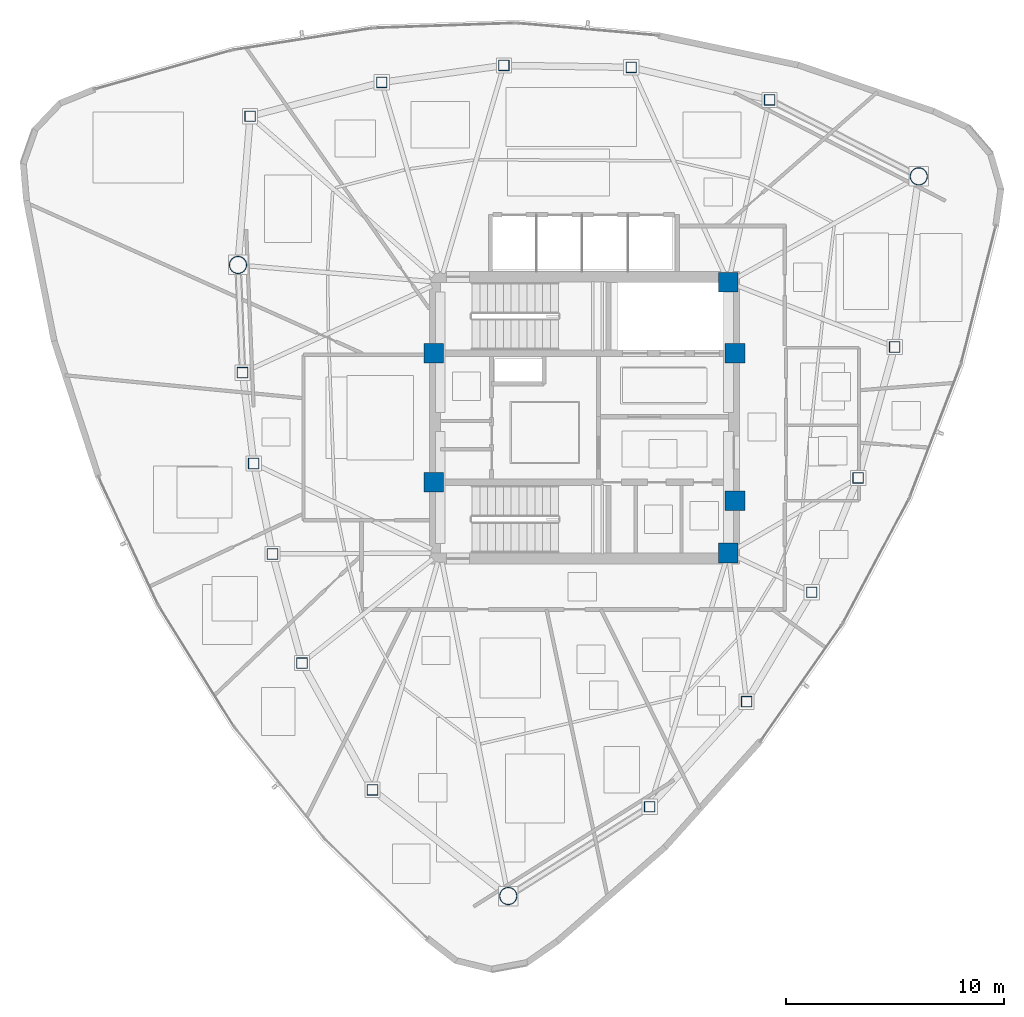
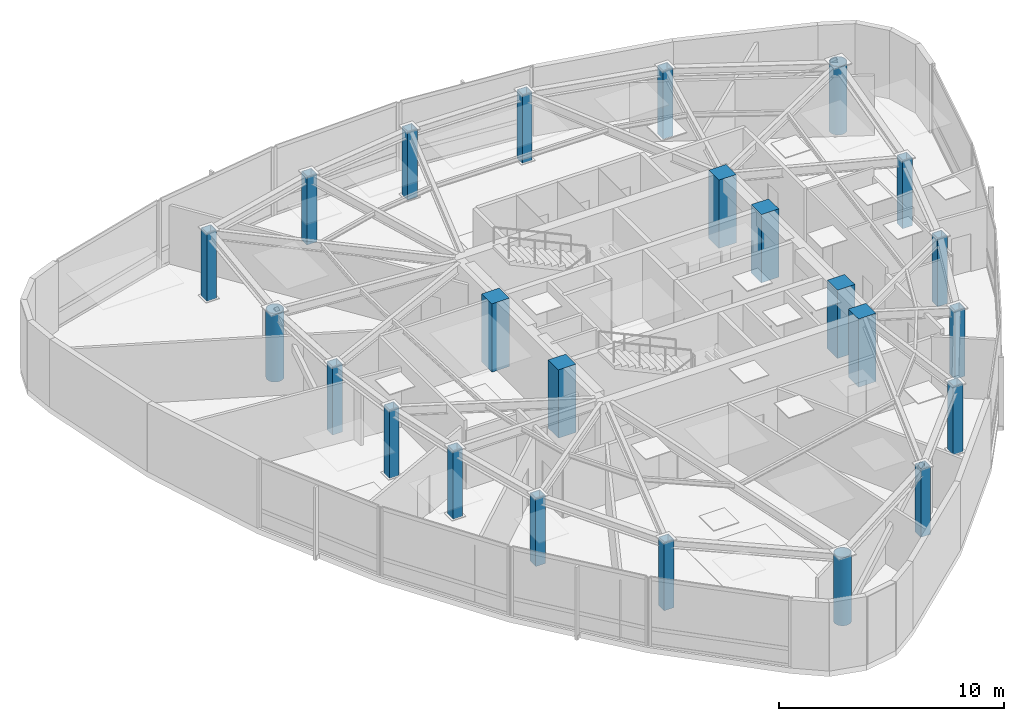
# One storey, part 1 of 12: 24 columns.
"""IFC4 building model written with IfcOpenShell, lengths in metres."""

from ifc_helpers import new_model, si_unit, direction, frame, origin, origin_2d, place, context, subcontext, project, spatial, rectangle, hollow_rectangle, hollow_circle, extrude, material, material_profile, profile_set, type_object, element, save


model = new_model("IFC4")

# Units and contexts
model_context = context("Model", 3, precision=1e-05, world=origin(), true_north=direction((0.0, 1.0)))
body_context = subcontext(model_context, "Body", "Model", "MODEL_VIEW")
ifc_project = project(units=[si_unit("LENGTHUNIT", "METRE"), si_unit("AREAUNIT", "SQUARE_METRE"), si_unit("VOLUMEUNIT", "CUBIC_METRE"), si_unit("PLANEANGLEUNIT", "RADIAN"), si_unit("MASSUNIT", "GRAM", prefix="KILO")], contexts=[model_context])

# Site, building, storey
site_placement = place(None, origin())
site = spatial("IfcSite", under=ifc_project, at=site_placement, CompositionType="ELEMENT")
building_placement = place(site_placement, origin())
building = spatial("IfcBuilding", under=site, at=building_placement, Name="Tavelor Broadcast Tower", CompositionType="ELEMENT")
storey_placement = place(building_placement, frame((0.0, 0.0, 289.5)))
storey = spatial("IfcBuildingStorey", under=building, at=storey_placement, Name="L69", CompositionType="ELEMENT", Elevation=289.5)

# Columns
ifc_material_1 = material(Name="Concrete C50/60", Category="concrete")
ifc_material_profile_1 = material_profile(ifc_material_1, rectangle(XDim=0.89990234375, YDim=0.89990234375, at=origin_2d()), Name="RC 900x900")
ifc_profile_set_1 = profile_set([ifc_material_profile_1], Name="Concrete C50/60")
column_type_1 = type_object("IfcColumnType", Name="Core Embedded Composite Column RC900", PredefinedType="COLUMN", material=ifc_profile_set_1)
for number, where, z_axis, x_axis, name in (
    (1, (43.10009765625, 47.949951171875, 0.0), (0.0, 0.0, 1.0), (1.0, 0.0, 0.0), "L69 Core Embedded Column 1"),
    (2, (56.89990234375, 47.949951171875, 0.0), (0.0, 0.0, 1.0), (1.0, 0.0, 0.0), "L69 Core Embedded Column 2"),
    (3, (56.60009765625, 51.199951171875, 0.0), (0.0, 0.0, 1.0), (1.0, 0.0, 0.0), "L69 Core Embedded Column 3"),
    (4, (43.10009765625, 42.050048828125, 0.0), (0.0, 0.0, 1.0), (1.0, 0.0, 0.0), "L69 Core Embedded Column 4"),
    (5, (56.89990234375, 41.199951171875, 0.0), (0.0, 0.0, 1.0), (1.0, 0.0, 0.0), "L69 Core Embedded Column 5"),
    (6, (56.60009765625, 38.800048828125, 0.0), (0.0, 0.0, 1.0), (1.0, 0.0, 0.0), "L69 Core Embedded Column 6"),
):
    element("IfcColumn", number, at=place(storey_placement, frame(where, z_axis=z_axis, x_axis=x_axis)), inside=storey, type_object=column_type_1, Name=name, PredefinedType="COLUMN", context=body_context, shape_type="SweptSolid", body=[
        extrude(rectangle(XDim=0.89990234375, YDim=0.89990234375, at=origin_2d()), origin(), (0.0, 0.0, 1.0), 3.699951171875),
    ])
ifc_material_2 = material(Name="Steel S460", Category="steel")
ifc_material_profile_2 = material_profile(ifc_material_2, hollow_rectangle(XDim=0.5, YDim=0.5, WallThickness=0.030029296875, at=origin_2d()), Name="SHS 500x500x30")
ifc_profile_set_2 = profile_set([ifc_material_profile_2], Name="Steel S460")
column_type_2 = type_object("IfcColumnType", Name="Perimeter Tube Column T7 SHS 500x500x30", PredefinedType="COLUMN", material=ifc_profile_set_2)
for number, where, z_axis, x_axis, name in (
    (7, (34.341552734375, 47.061279296875, 0.0), (0.0, 0.0, 1.0), (1.0, 0.0, 0.0), "L69 Perimeter Framed-Tube Column 02"),
    (8, (34.85400390625, 42.90185546875, 0.0), (0.0, 0.0, 1.0), (1.0, 0.0, 0.0), "L69 Perimeter Framed-Tube Column 03"),
    (9, (35.716552734375, 38.757080078125, 0.0), (0.0, 0.0, 1.0), (1.0, 0.0, 0.0), "L69 Perimeter Framed-Tube Column 04"),
    (10, (37.068115234375, 33.759521484375, 0.0), (0.0, 0.0, 1.0), (1.0, 0.0, 0.0), "L69 Perimeter Framed-Tube Column 05"),
    (11, (40.29638671875, 27.95361328125, 0.0), (0.0, 0.0, 1.0), (1.0, 0.0, 0.0), "L69 Perimeter Framed-Tube Column 06"),
    (12, (52.992919921875, 27.1767578125, 0.0), (0.0, 0.0, 1.0), (1.0, 0.0, 0.0), "L69 Perimeter Framed-Tube Column 08"),
    (13, (57.431396484375, 31.9921875, 0.0), (0.0, 0.0, 1.0), (1.0, 0.0, 0.0), "L69 Perimeter Framed-Tube Column 09"),
    (14, (60.41748046875, 37.00439453125, 0.0), (0.0, 0.0, 1.0), (1.0, 0.0, 0.0), "L69 Perimeter Framed-Tube Column 10"),
    (15, (62.543701171875, 42.240478515625, 0.0), (0.0, 0.0, 1.0), (1.0, 0.0, 0.0), "L69 Perimeter Framed-Tube Column 11"),
    (16, (64.21435546875, 48.2373046875, 0.0), (0.0, 0.0, 1.0), (1.0, 0.0, 0.0), "L69 Perimeter Framed-Tube Column 12"),
    (17, (58.485595703125, 59.55712890625, 0.0), (0.0, 0.0, 1.0), (1.0, 0.0, 0.0), "L69 Perimeter Framed-Tube Column 14"),
    (18, (52.147216796875, 61.05078125, 0.0), (0.0, 0.0, 1.0), (1.0, 0.0, 0.0), "L69 Perimeter Framed-Tube Column 15"),
    (19, (46.3154296875, 61.13720703125, 0.0), (0.0, 0.0, 1.0), (1.0, 0.0, 0.0), "L69 Perimeter Framed-Tube Column 16"),
    (20, (40.718017578125, 60.36083984375, 0.0), (0.0, 0.0, 1.0), (1.0, 0.0, 0.0), "L69 Perimeter Framed-Tube Column 17"),
    (21, (34.689208984375, 58.80908203125, 0.0), (0.0, 0.0, 1.0), (1.0, 0.0, 0.0), "L69 Perimeter Framed-Tube Column 18"),
):
    element("IfcColumn", number, at=place(storey_placement, frame(where, z_axis=z_axis, x_axis=x_axis)), inside=storey, type_object=column_type_2, Name=name, PredefinedType="COLUMN", context=body_context, shape_type="SweptSolid", body=[
        extrude(hollow_rectangle(XDim=0.5, YDim=0.5, WallThickness=0.030029296875, at=origin_2d()), origin(), (0.0, 0.0, 1.0), 3.699951171875),
    ])
ifc_material_profile_3 = material_profile(ifc_material_2, hollow_circle(Radius=0.406494140625, WallThickness=0.035888671875, at=origin_2d()), Name="CHS 813x36")
ifc_profile_set_3 = profile_set([ifc_material_profile_3], Name="Steel S460")
column_type_3 = type_object("IfcColumnType", Name="Tower Mega Column T7 CHS 813x36", PredefinedType="COLUMN", material=ifc_profile_set_3)
for number, where, z_axis, x_axis, name in (
    (22, (34.134765625, 51.995849609375, 0.0), (0.0, 0.0, 1.0), (1.0, 0.0, 0.0), "L69 Tower Corner Mega Column 01"),
    (23, (46.5146484375, 23.08740234375, 0.0), (0.0, 0.0, 1.0), (1.0, 0.0, 0.0), "L69 Tower Corner Mega Column 07"),
    (24, (65.319580078125, 56.0556640625, 0.0), (0.0, 0.0, 1.0), (1.0, 0.0, 0.0), "L69 Tower Corner Mega Column 13"),
):
    element("IfcColumn", number, at=place(storey_placement, frame(where, z_axis=z_axis, x_axis=x_axis)), inside=storey, type_object=column_type_3, Name=name, PredefinedType="COLUMN", context=body_context, shape_type="SweptSolid", body=[
        extrude(hollow_circle(Radius=0.406494140625, WallThickness=0.035888671875, at=origin_2d()), origin(), (0.0, 0.0, 1.0), 3.699951171875),
    ])

save(model, "model.ifc")
